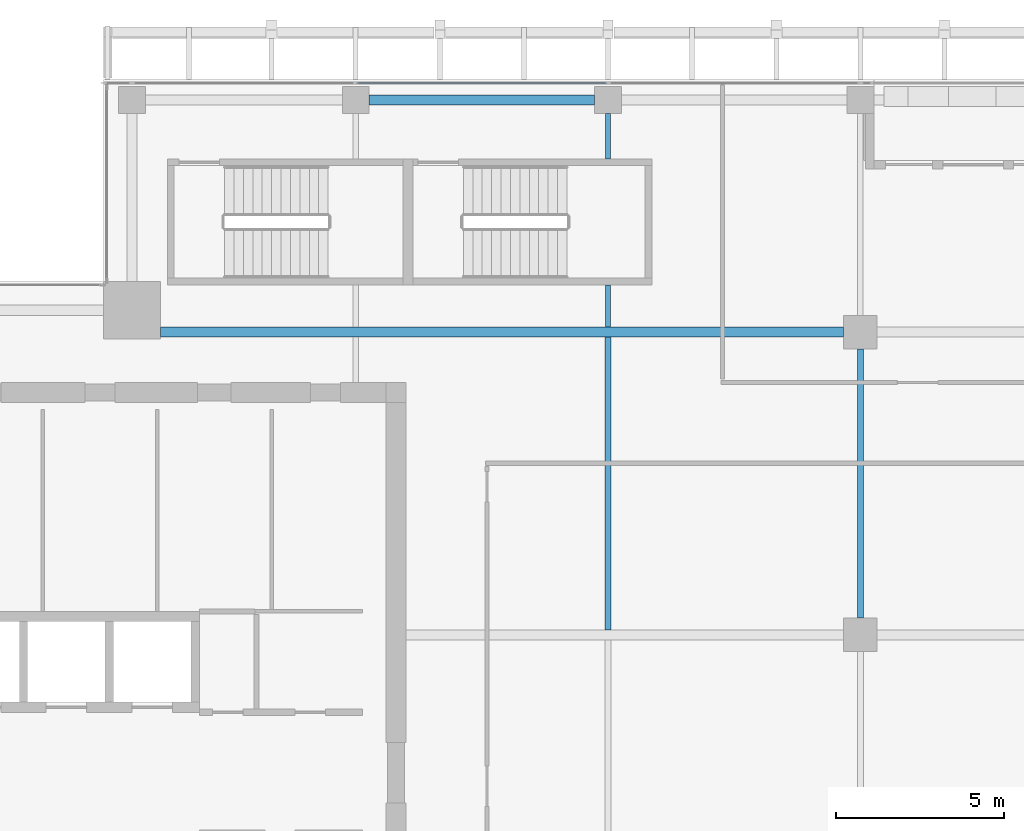
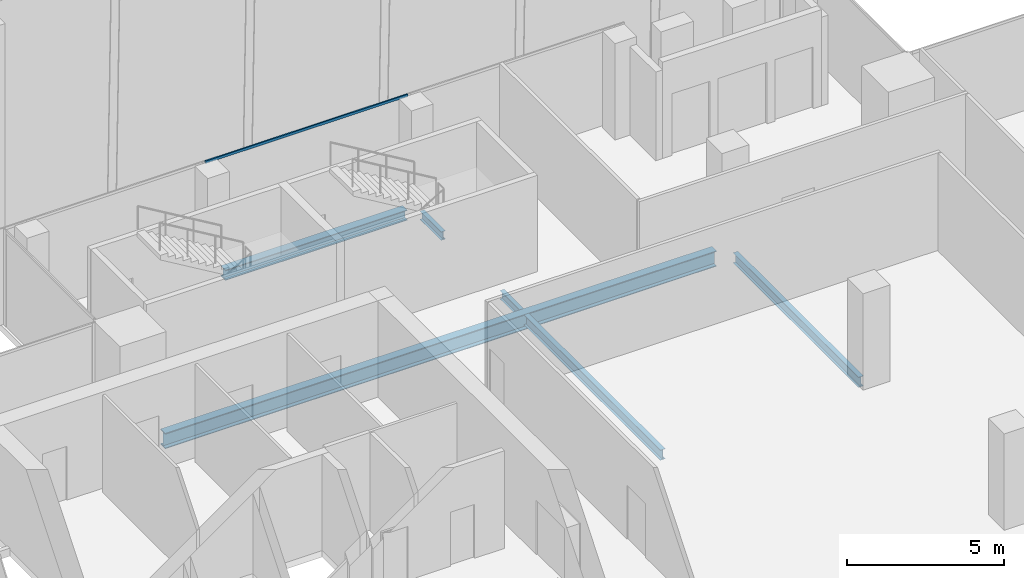
# One storey, part 15 of 32: 6 beams, 1 member, 1 element without a shape of its own.
"""IFC4 building model written with IfcOpenShell, lengths in metres."""

from ifc_helpers import new_model, si_unit, direction, frame, origin, origin_2d, place, context, subcontext, project, spatial, hollow_rectangle, i_section, extrude, source, transform, mapped, material, material_profile, profile_set, type_object, element, aggregate, save


model = new_model("IFC4")

# Units and contexts
model_context = context("Model", 3, precision=1e-05, world=origin(), true_north=direction((0.0, 1.0)))
body_context = subcontext(model_context, "Body", "Model", "MODEL_VIEW")
ifc_project = project(units=[si_unit("LENGTHUNIT", "METRE"), si_unit("AREAUNIT", "SQUARE_METRE"), si_unit("VOLUMEUNIT", "CUBIC_METRE"), si_unit("PLANEANGLEUNIT", "RADIAN"), si_unit("MASSUNIT", "GRAM", prefix="KILO")], contexts=[model_context])

# Site, building, storey
site_placement = place(None, origin())
site = spatial("IfcSite", under=ifc_project, at=site_placement, CompositionType="ELEMENT")
building_placement = place(site_placement, origin())
building = spatial("IfcBuilding", under=site, at=building_placement, Name="Khomas Fold Tower", CompositionType="ELEMENT")
storey_placement = place(building_placement, frame((0.0, 0.0, 318.199951171875)))
storey = spatial("IfcBuildingStorey", under=building, at=storey_placement, Name="L72", CompositionType="ELEMENT", Elevation=318.199951171875)

# Beams
ifc_material_1 = material(Name="Steel S355", Category="steel")
ifc_material_profile_1 = material_profile(ifc_material_1, i_section(OverallWidth=0.179931640625, OverallDepth=0.39990234375, WebThickness=0.008544921875, FlangeThickness=0.013427734375, at=origin_2d()), Name="IPE 400")
ifc_profile_set_1 = profile_set([ifc_material_profile_1], Name="Steel S355")
beam_type_1 = type_object("IfcBeamType", Name="IPE 400 beam JB3", PredefinedType="BEAM", material=ifc_profile_set_1)
shared_shape_1 = source(origin(), body_context, "Body", "SweptSolid", [
    extrude(i_section(OverallWidth=0.179931640625, OverallDepth=0.39990234375, WebThickness=0.008544921875, FlangeThickness=0.013427734375, at=origin_2d()), origin(), (0.0, 0.0, 1.0), 8.7001953125),
])
beam_1_placement = place(storey_placement, frame((27.0, 31.64990234375, -0.449951171875), z_axis=(0.0, 1.0, 0.0), x_axis=(-1.0, 0.0, 0.0)))
element("IfcBeam", 1, at=beam_1_placement, inside=storey, type_object=beam_type_1, Name="JB3", PredefinedType="BEAM", context=body_context, shape_type="MappedRepresentation", body=[
    mapped(shared_shape_1, transform((0.0, 0.0, 0.0))),
])
ifc_material_2 = material(Name="Steel S355", Category="steel")
ifc_material_profile_2 = material_profile(ifc_material_2, i_section(OverallWidth=0.159912109375, OverallDepth=0.330078125, WebThickness=0.007568359375, FlangeThickness=0.011474609375, at=origin_2d()), Name="IPE 330")
ifc_profile_set_2 = profile_set([ifc_material_profile_2], Name="Steel S355")
beam_type_2 = type_object("IfcBeamType", Name="IPE 330 beam JB1", PredefinedType="BEAM", material=ifc_profile_set_2)
shared_shape_2 = source(origin(), body_context, "Body", "SweptSolid", [
    extrude(i_section(OverallWidth=0.159912109375, OverallDepth=0.330078125, WebThickness=0.007568359375, FlangeThickness=0.011474609375, at=origin_2d()), origin(), (0.0, 0.0, 1.0), 1.25),
])
beam_2_placement = place(storey_placement, frame((27.0, 40.64990234375, -0.4150390625), z_axis=(0.0, 1.0, 0.0), x_axis=(-1.0, 0.0, 0.0)))
element("IfcBeam", 2, at=beam_2_placement, inside=storey, type_object=beam_type_2, Name="JB1", PredefinedType="BEAM", context=body_context, shape_type="MappedRepresentation", body=[
    mapped(shared_shape_2, transform((0.0, 0.0, 0.0))),
])
shared_shape_3 = source(origin(), body_context, "Body", "SweptSolid", [
    extrude(i_section(OverallWidth=0.159912109375, OverallDepth=0.330078125, WebThickness=0.007568359375, FlangeThickness=0.011474609375, at=origin_2d()), origin(), (0.0, 0.0, 1.0), 1.35009765625),
])
beam_3_placement = place(storey_placement, frame((27.0, 45.64990234375, -0.4150390625), z_axis=(0.0, 1.0, 0.0), x_axis=(-1.0, 0.0, 0.0)))
element("IfcBeam", 3, at=beam_3_placement, inside=storey, type_object=beam_type_2, Name="JB1", PredefinedType="BEAM", context=body_context, shape_type="MappedRepresentation", body=[
    mapped(shared_shape_3, transform((0.0, 0.0, 0.0))),
])
ifc_material_3 = material(Name="Steel S355", Category="steel")
ifc_material_profile_3 = material_profile(ifc_material_3, i_section(OverallWidth=0.300048828125, OverallDepth=0.39990234375, WebThickness=0.013427734375, FlangeThickness=0.02392578125, at=origin_2d()), Name="HE 400 B")
ifc_profile_set_3 = profile_set([ifc_material_profile_3], Name="Steel S355")
beam_type_3 = type_object("IfcBeamType", Name="HE 400 B spandrel SB5", PredefinedType="SPANDREL", material=ifc_profile_set_3)
shared_shape_4 = source(origin(), body_context, "Body", "SweptSolid", [
    extrude(i_section(OverallWidth=0.300048828125, OverallDepth=0.39990234375, WebThickness=0.013427734375, FlangeThickness=0.02392578125, at=origin_2d()), origin(), (0.0, 0.0, 1.0), 6.7001953125),
])
beam_4_placement = place(storey_placement, frame((19.89990234375, 47.39990234375, -0.449951171875), z_axis=(1.0, 0.0, 0.0), x_axis=(0.0, 1.0, 0.0)))
element("IfcBeam", 4, at=beam_4_placement, inside=storey, type_object=beam_type_3, Name="SB5", PredefinedType="SPANDREL", context=body_context, shape_type="MappedRepresentation", body=[
    mapped(shared_shape_4, transform((0.0, 0.0, 0.0))),
])
ifc_material_4 = material(Name="Steel S355", Category="steel")
ifc_material_profile_4 = material_profile(ifc_material_4, i_section(OverallWidth=0.300048828125, OverallDepth=0.60009765625, WebThickness=0.015380859375, FlangeThickness=0.030029296875, at=origin_2d()), Name="HE 600 B")
ifc_profile_set_4 = profile_set([ifc_material_profile_4], Name="Steel S355")
beam_type_4 = type_object("IfcBeamType", Name="HE 600 B beam GB5", PredefinedType="BEAM", material=ifc_profile_set_4)
shared_shape_5 = source(origin(), body_context, "Body", "SweptSolid", [
    extrude(i_section(OverallWidth=0.300048828125, OverallDepth=0.60009765625, WebThickness=0.015380859375, FlangeThickness=0.030029296875, at=origin_2d()), origin(), (0.0, 0.0, 1.0), 20.300048828125),
])
beam_5_placement = place(storey_placement, frame((13.699951171875, 40.5, -0.550048828125), z_axis=(1.0, 0.0, 0.0), x_axis=(0.0, 1.0, 0.0)))
element("IfcBeam", 5, at=beam_5_placement, inside=storey, type_object=beam_type_4, Name="GB5", PredefinedType="BEAM", context=body_context, shape_type="MappedRepresentation", body=[
    mapped(shared_shape_5, transform((0.0, 0.0, 0.0))),
])
shared_shape_6 = source(origin(), body_context, "Body", "SweptSolid", [
    extrude(i_section(OverallWidth=0.179931640625, OverallDepth=0.39990234375, WebThickness=0.008544921875, FlangeThickness=0.013427734375, at=origin_2d()), origin(), (0.0, 0.0, 1.0), 8.0),
])
beam_6_placement = place(storey_placement, frame((34.5, 32.0, -0.449951171875), z_axis=(0.0, 1.0, 0.0), x_axis=(-1.0, 0.0, 0.0)))
element("IfcBeam", 6, at=beam_6_placement, inside=storey, type_object=beam_type_1, Name="JB3", PredefinedType="BEAM", context=body_context, shape_type="MappedRepresentation", body=[
    mapped(shared_shape_6, transform((0.0, 0.0, 0.0))),
])

# Curtain wall, member
ifc_material_5 = material(Name="Aluminium framed double glazing", Category="aluminium")
curtain_wall_type = type_object("IfcCurtainWallType", Name="SK-Unitised clear-glass wall, upper floors CW3", PredefinedType="NOTDEFINED", material=ifc_material_5)
curtain_wall_placement = place(storey_placement, origin())
curtain_wall = element("IfcCurtainWall", 7, at=curtain_wall_placement, inside=storey, type_object=curtain_wall_type, Name="CW3 run L72 06-1", PredefinedType="NOTDEFINED")
ifc_material_6 = material(Name="Aluminium", Category="aluminium")
ifc_material_profile_5 = material_profile(ifc_material_6, hollow_rectangle(XDim=0.050048828125, YDim=0.10009765625, WallThickness=0.00390625, at=origin_2d()), Name="SK-Unitised clear-glass wall, upper floors transom CW3-T")
ifc_profile_set_5 = profile_set([ifc_material_profile_5], Name="Aluminium")
member_type = type_object("IfcMemberType", Name="SK-Unitised clear-glass wall, upper floors transom CW3-T", PredefinedType="USERDEFINED", material=ifc_profile_set_5)
shared_shape_7 = source(origin(), body_context, "Body", "SweptSolid", [
    extrude(hollow_rectangle(XDim=0.050048828125, YDim=0.10009765625, WallThickness=0.00390625, at=origin_2d()), origin(), (0.0, 0.0, 1.0), 7.4501953125),
])
member_placement = place(storey_placement, frame((26.97509765625, 47.89990234375, 3.699951171875), z_axis=(-1.0, 0.0, 0.0), x_axis=(0.0, -1.0, 0.0)))
member = element("IfcMember", 8, at=member_placement, type_object=member_type, Name="CW3 transom 3", ObjectType="TRANSOM", PredefinedType="USERDEFINED", context=body_context, shape_type="MappedRepresentation", body=[
    mapped(shared_shape_7, transform((0.0, 0.0, 0.0))),
])
aggregate(curtain_wall, [member])

save(model, "model.ifc")
